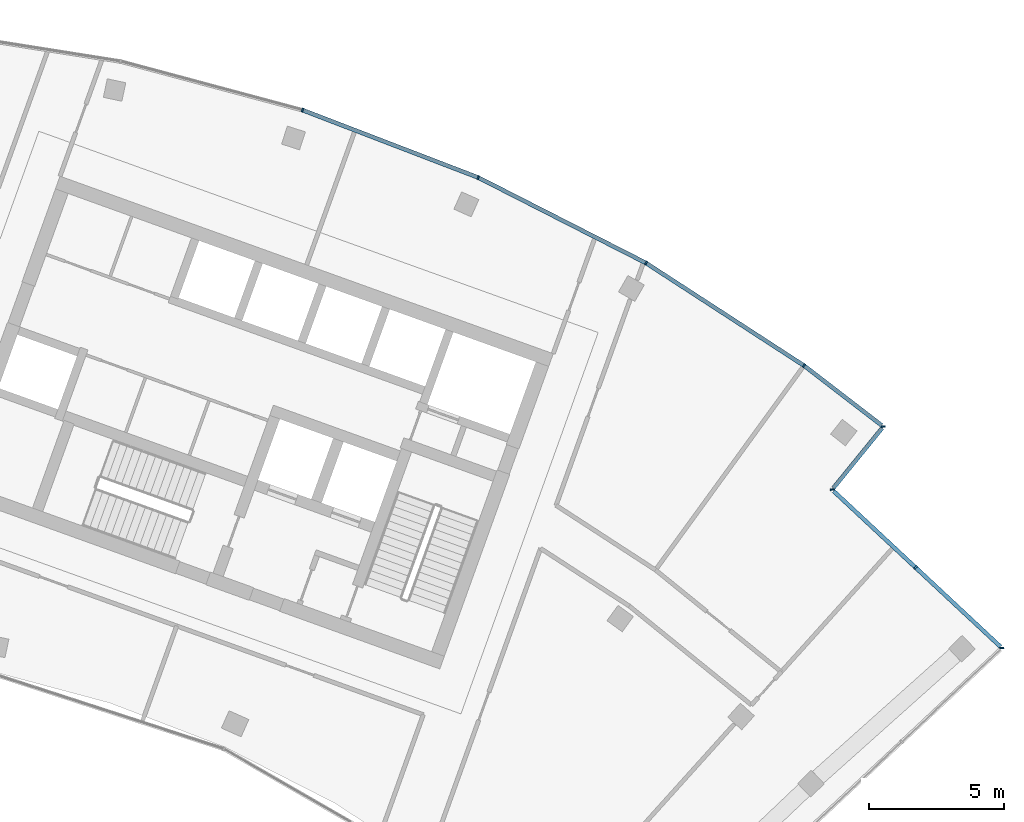
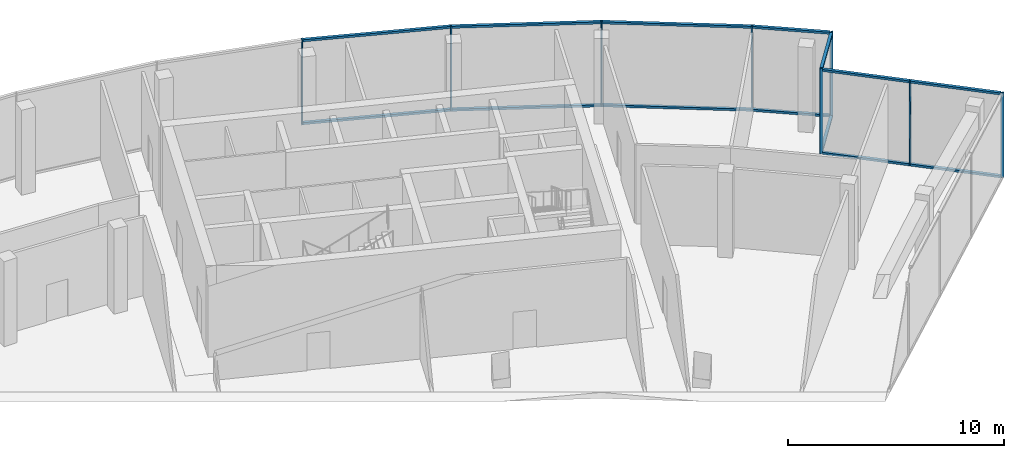
# One storey, part 10 of 17: 22 members, 3 elements without a shape of their own.
"""IFC4 building model written with IfcOpenShell, lengths in metres."""

from ifc_helpers import new_model, si_unit, direction, frame, origin, origin_2d, place, context, subcontext, project, spatial, rectangle, extrude, material, layer, layer_set, material_profile, profile_set, type_object, element, aggregate, save


model = new_model("IFC4")

# Units and contexts
model_context = context("Model", 3, precision=1e-05, world=origin(), true_north=direction((0.0, 1.0)))
body_context = subcontext(model_context, "Body", "Model", "MODEL_VIEW")
ifc_project = project(units=[si_unit("LENGTHUNIT", "METRE"), si_unit("AREAUNIT", "SQUARE_METRE"), si_unit("VOLUMEUNIT", "CUBIC_METRE"), si_unit("PLANEANGLEUNIT", "RADIAN"), si_unit("MASSUNIT", "GRAM", prefix="KILO")], contexts=[model_context])

# Site, building, storey
site_placement = place(None, origin())
site = spatial("IfcSite", under=ifc_project, at=site_placement, CompositionType="ELEMENT")
building_placement = place(site_placement, origin())
building = spatial("IfcBuilding", under=site, at=building_placement, Name="Stone Belt Terrace Tower", CompositionType="ELEMENT")
storey_placement = place(building_placement, frame((0.0, 0.0, 313.39990234375)))
storey = spatial("IfcBuildingStorey", under=building, at=storey_placement, Name="L76", CompositionType="ELEMENT", Elevation=313.39990234375)

# Curtain wall, members
ifc_material = material(Name="Aluminium 6063-T6 anodised frame", Category="aluminium")
ifc_layer = layer(ifc_material, 0.14990234375)
ifc_layer_set = layer_set([ifc_layer], Name="CW-C stick curtain wall, horn ends and notches")
curtain_wall_type = type_object("IfcCurtainWallType", Name="CW-C stick curtain wall, horn ends and notches", PredefinedType="NOTDEFINED", material=ifc_layer_set)
curtain_wall_1_placement = place(storey_placement, origin())
curtain_wall_1 = element("IfcCurtainWall", 1, at=curtain_wall_1_placement, inside=storey, type_object=curtain_wall_type, Name="CW-C notch face L76", PredefinedType="NOTDEFINED")
ifc_material_profile_1 = material_profile(ifc_material, rectangle(XDim=0.14990234375, YDim=0.06005859375, at=origin_2d()), Name="Aluminium 6063-T6 60x150")
ifc_profile_set_1 = profile_set([ifc_material_profile_1], Name="Aluminium 6063-T6 anodised frame")
member_type_1 = type_object("IfcMemberType", Name="CW-C mullion 60 x 150", PredefinedType="MULLION", material=ifc_profile_set_1)
member_1_placement = place(storey_placement, frame((46.458740234375, 43.405517578125, 0.0), z_axis=(0.0, 0.0, 1.0), x_axis=(-0.999999447771, -0.00105093149, 0.0)))
member_1 = element("IfcMember", 2, at=member_1_placement, type_object=member_type_1, Name="CW-C mullion 1", PredefinedType="MULLION", context=body_context, shape_type="SweptSolid", body=[
    extrude(rectangle(XDim=0.14990234375, YDim=0.06005859375, at=origin_2d()), origin(), (0.0, 0.0, 1.0), 4.800048828125),
])
member_2_placement = place(storey_placement, frame((43.260009765625, 46.388671875, 0.0), z_axis=(0.0, 0.0, 1.0), x_axis=(-0.682013767261, -0.731339333871, 0.0)))
member_2 = element("IfcMember", 3, at=member_2_placement, type_object=member_type_1, Name="CW-C mullion 2", PredefinedType="MULLION", context=body_context, shape_type="SweptSolid", body=[
    extrude(rectangle(XDim=0.14990234375, YDim=0.06005859375, at=origin_2d()), origin(), (0.0, 0.0, 1.0), 4.800048828125),
])

# Curtain wall, member
curtain_wall_2_placement = place(storey_placement, origin())
curtain_wall_2 = element("IfcCurtainWall", 4, at=curtain_wall_2_placement, inside=storey, type_object=curtain_wall_type, Name="CW-C notch face L76", PredefinedType="NOTDEFINED")
member_3_placement = place(storey_placement, frame((40.1708984375, 49.269287109375, 0.0), z_axis=(0.0, 0.0, 1.0), x_axis=(-0.997639702696, -0.068666029474, 0.0)))
member_3 = element("IfcMember", 5, at=member_3_placement, type_object=member_type_1, Name="CW-C mullion 1", PredefinedType="MULLION", context=body_context, shape_type="SweptSolid", body=[
    extrude(rectangle(XDim=0.14990234375, YDim=0.06005859375, at=origin_2d()), origin(), (0.0, 0.0, 1.0), 4.800048828125),
])

# Curtain wall, members
curtain_wall_3_placement = place(storey_placement, origin())
curtain_wall_3 = element("IfcCurtainWall", 6, at=curtain_wall_3_placement, inside=storey, type_object=curtain_wall_type, Name="CW-C convex face L76", PredefinedType="NOTDEFINED")
member_4_placement = place(storey_placement, frame((42.068359375, 51.60205078125, 0.0), z_axis=(0.0, 0.0, 1.0), x_axis=(-0.993258004644, -0.115924700604, 0.0)))
member_4 = element("IfcMember", 7, at=member_4_placement, type_object=member_type_1, Name="CW-C mullion 1", PredefinedType="MULLION", context=body_context, shape_type="SweptSolid", body=[
    extrude(rectangle(XDim=0.14990234375, YDim=0.06005859375, at=origin_2d()), origin(), (0.0, 0.0, 1.0), 4.800048828125),
])
member_5_placement = place(storey_placement, frame((39.131103515625, 53.86083984375, 0.0), z_axis=(0.0, 0.0, 1.0), x_axis=(-0.577587125789, -0.816329046477, 0.0)))
member_5 = element("IfcMember", 8, at=member_5_placement, type_object=member_type_1, Name="CW-C mullion 2", PredefinedType="MULLION", context=body_context, shape_type="SweptSolid", body=[
    extrude(rectangle(XDim=0.14990234375, YDim=0.06005859375, at=origin_2d()), origin(), (0.0, 0.0, 1.0), 4.800048828125),
])
member_6_placement = place(storey_placement, frame((33.28759765625, 57.65576171875, 0.0), z_axis=(0.0, 0.0, 1.0), x_axis=(-0.5, -0.866025403784, 0.0)))
member_6 = element("IfcMember", 9, at=member_6_placement, type_object=member_type_1, Name="CW-C mullion 3", PredefinedType="MULLION", context=body_context, shape_type="SweptSolid", body=[
    extrude(rectangle(XDim=0.14990234375, YDim=0.06005859375, at=origin_2d()), origin(), (0.0, 0.0, 1.0), 4.800048828125),
])
member_7_placement = place(storey_placement, frame((27.07861328125, 60.8193359375, 0.0), z_axis=(0.0, 0.0, 1.0), x_axis=(-0.406736643076, -0.913545457643, 0.0)))
member_7 = element("IfcMember", 10, at=member_7_placement, type_object=member_type_1, Name="CW-C mullion 4", PredefinedType="MULLION", context=body_context, shape_type="SweptSolid", body=[
    extrude(rectangle(XDim=0.14990234375, YDim=0.06005859375, at=origin_2d()), origin(), (0.0, 0.0, 1.0), 4.800048828125),
])
member_8_placement = place(storey_placement, frame((20.57275390625, 63.316650390625, 0.0), z_axis=(0.0, 0.0, 1.0), x_axis=(-0.309016994375, -0.951056516295, 0.0)))
member_8 = element("IfcMember", 11, at=member_8_placement, type_object=member_type_1, Name="CW-C mullion 5", PredefinedType="MULLION", context=body_context, shape_type="SweptSolid", body=[
    extrude(rectangle(XDim=0.14990234375, YDim=0.06005859375, at=origin_2d()), origin(), (0.0, 0.0, 1.0), 4.800048828125),
])

# Member
ifc_material_profile_2 = material_profile(ifc_material, rectangle(XDim=0.14990234375, YDim=0.1201171875, at=origin_2d()), Name="Aluminium 6063-T6 150x120")
ifc_profile_set_2 = profile_set([ifc_material_profile_2], Name="Aluminium 6063-T6 anodised frame")
member_type_2 = type_object("IfcMemberType", Name="CW-C transom 120 x 150", PredefinedType="USERDEFINED", material=ifc_profile_set_2)
member_9_placement = place(storey_placement, frame((46.40380859375, 43.456787109375, 0.06005859375), z_axis=(-0.731353784958, 0.681998270693, 0.0), x_axis=(-0.681998270693, -0.731353784958, 0.0)))
member_9 = element("IfcMember", 12, at=member_9_placement, type_object=member_type_2, Name="CW-C transom 1.1", ObjectType="TRANSOM", PredefinedType="USERDEFINED", context=body_context, shape_type="SweptSolid", body=[
    extrude(rectangle(XDim=0.14990234375, YDim=0.1201171875, at=origin_2d()), origin(), (0.0, 0.0, 1.0), 4.268798828125),
])

member_10_placement = place(storey_placement, frame((46.40380859375, 43.456787109375, 4.739990234375), z_axis=(-0.731353784958, 0.681998270693, 0.0), x_axis=(-0.681998270693, -0.731353784958, 0.0)))
member_10 = element("IfcMember", 13, at=member_10_placement, type_object=member_type_2, Name="CW-C transom 1.2", ObjectType="TRANSOM", PredefinedType="USERDEFINED", context=body_context, shape_type="SweptSolid", body=[
    extrude(rectangle(XDim=0.14990234375, YDim=0.1201171875, at=origin_2d()), origin(), (0.0, 0.0, 1.0), 4.268798828125),
])

member_11_placement = place(storey_placement, frame((43.238037109375, 46.4091796875, 0.06005859375), z_axis=(-0.731382255625, 0.681967738355, 0.0), x_axis=(-0.681967738355, -0.731382255625, 0.0)))
member_11 = element("IfcMember", 14, at=member_11_placement, type_object=member_type_2, Name="CW-C transom 2.1", ObjectType="TRANSOM", PredefinedType="USERDEFINED", context=body_context, shape_type="SweptSolid", body=[
    extrude(rectangle(XDim=0.14990234375, YDim=0.1201171875, at=origin_2d()), origin(), (0.0, 0.0, 1.0), 4.12060546875),
])

member_12_placement = place(storey_placement, frame((43.238037109375, 46.4091796875, 4.739990234375), z_axis=(-0.731382255625, 0.681967738355, 0.0), x_axis=(-0.681967738355, -0.731382255625, 0.0)))
member_12 = element("IfcMember", 15, at=member_12_placement, type_object=member_type_2, Name="CW-C transom 2.2", ObjectType="TRANSOM", PredefinedType="USERDEFINED", context=body_context, shape_type="SweptSolid", body=[
    extrude(rectangle(XDim=0.14990234375, YDim=0.1201171875, at=origin_2d()), origin(), (0.0, 0.0, 1.0), 4.12060546875),
])

aggregate(curtain_wall_1, [member_1, member_2, member_9, member_10, member_11, member_12])

member_13_placement = place(storey_placement, frame((40.217041015625, 49.325927734375, 0.06005859375), z_axis=(0.631026504781, 0.775761271439, 0.0), x_axis=(-0.775761271439, 0.631026504781, 0.0)))
member_13 = element("IfcMember", 16, at=member_13_placement, type_object=member_type_2, Name="CW-C transom 1.1", ObjectType="TRANSOM", PredefinedType="USERDEFINED", context=body_context, shape_type="SweptSolid", body=[
    extrude(rectangle(XDim=0.14990234375, YDim=0.1201171875, at=origin_2d()), origin(), (0.0, 0.0, 1.0), 2.859130859375),
])

member_14_placement = place(storey_placement, frame((40.217041015625, 49.325927734375, 4.739990234375), z_axis=(0.631026504781, 0.775761271439, 0.0), x_axis=(-0.775761271439, 0.631026504781, 0.0)))
member_14 = element("IfcMember", 17, at=member_14_placement, type_object=member_type_2, Name="CW-C transom 1.2", ObjectType="TRANSOM", PredefinedType="USERDEFINED", context=body_context, shape_type="SweptSolid", body=[
    extrude(rectangle(XDim=0.14990234375, YDim=0.1201171875, at=origin_2d()), origin(), (0.0, 0.0, 1.0), 2.859130859375),
])

aggregate(curtain_wall_2, [member_3, member_13, member_14])

member_15_placement = place(storey_placement, frame((42.00927734375, 51.6474609375, 0.06005859375), z_axis=(-0.79269461464, 0.609618936648, 0.0), x_axis=(-0.609618936648, -0.79269461464, 0.0)))
member_15 = element("IfcMember", 18, at=member_15_placement, type_object=member_type_2, Name="CW-C transom 1.1", ObjectType="TRANSOM", PredefinedType="USERDEFINED", context=body_context, shape_type="SweptSolid", body=[
    extrude(rectangle(XDim=0.14990234375, YDim=0.1201171875, at=origin_2d()), origin(), (0.0, 0.0, 1.0), 3.597900390625),
])

member_16_placement = place(storey_placement, frame((42.00927734375, 51.6474609375, 4.739990234375), z_axis=(-0.79269461464, 0.609618936648, 0.0), x_axis=(-0.609618936648, -0.79269461464, 0.0)))
member_16 = element("IfcMember", 19, at=member_16_placement, type_object=member_type_2, Name="CW-C transom 1.2", ObjectType="TRANSOM", PredefinedType="USERDEFINED", context=body_context, shape_type="SweptSolid", body=[
    extrude(rectangle(XDim=0.14990234375, YDim=0.1201171875, at=origin_2d()), origin(), (0.0, 0.0, 1.0), 3.597900390625),
])

member_17_placement = place(storey_placement, frame((39.103515625, 53.87890625, 0.06005859375), z_axis=(-0.83868440714, 0.544617723931, 0.0), x_axis=(-0.544617723931, -0.83868440714, 0.0)))
member_17 = element("IfcMember", 20, at=member_17_placement, type_object=member_type_2, Name="CW-C transom 2.1", ObjectType="TRANSOM", PredefinedType="USERDEFINED", context=body_context, shape_type="SweptSolid", body=[
    extrude(rectangle(XDim=0.14990234375, YDim=0.1201171875, at=origin_2d()), origin(), (0.0, 0.0, 1.0), 6.90087890625),
])

member_18_placement = place(storey_placement, frame((39.103515625, 53.87890625, 4.739990234375), z_axis=(-0.83868440714, 0.544617723931, 0.0), x_axis=(-0.544617723931, -0.83868440714, 0.0)))
member_18 = element("IfcMember", 21, at=member_18_placement, type_object=member_type_2, Name="CW-C transom 2.2", ObjectType="TRANSOM", PredefinedType="USERDEFINED", context=body_context, shape_type="SweptSolid", body=[
    extrude(rectangle(XDim=0.14990234375, YDim=0.1201171875, at=origin_2d()), origin(), (0.0, 0.0, 1.0), 6.90087890625),
])

member_19_placement = place(storey_placement, frame((33.25732421875, 57.671142578125, 0.06005859375), z_axis=(-0.891012226264, 0.453979308613, 0.0), x_axis=(-0.453979308613, -0.891012226264, 0.0)))
member_19 = element("IfcMember", 22, at=member_19_placement, type_object=member_type_2, Name="CW-C transom 3.1", ObjectType="TRANSOM", PredefinedType="USERDEFINED", context=body_context, shape_type="SweptSolid", body=[
    extrude(rectangle(XDim=0.14990234375, YDim=0.1201171875, at=origin_2d()), origin(), (0.0, 0.0, 1.0), 6.90087890625),
])

member_20_placement = place(storey_placement, frame((33.25732421875, 57.671142578125, 4.739990234375), z_axis=(-0.891012226264, 0.453979308613, 0.0), x_axis=(-0.453979308613, -0.891012226264, 0.0)))
member_20 = element("IfcMember", 23, at=member_20_placement, type_object=member_type_2, Name="CW-C transom 3.2", ObjectType="TRANSOM", PredefinedType="USERDEFINED", context=body_context, shape_type="SweptSolid", body=[
    extrude(rectangle(XDim=0.14990234375, YDim=0.1201171875, at=origin_2d()), origin(), (0.0, 0.0, 1.0), 6.90087890625),
])

member_21_placement = place(storey_placement, frame((27.046875, 60.83154296875, 0.06005859375), z_axis=(-0.933585210269, 0.358355487146, 0.0), x_axis=(-0.358355487146, -0.933585210269, 0.0)))
member_21 = element("IfcMember", 24, at=member_21_placement, type_object=member_type_2, Name="CW-C transom 4.1", ObjectType="TRANSOM", PredefinedType="USERDEFINED", context=body_context, shape_type="SweptSolid", body=[
    extrude(rectangle(XDim=0.14990234375, YDim=0.1201171875, at=origin_2d()), origin(), (0.0, 0.0, 1.0), 6.900634765625),
])

member_22_placement = place(storey_placement, frame((27.046875, 60.83154296875, 4.739990234375), z_axis=(-0.933585210269, 0.358355487146, 0.0), x_axis=(-0.358355487146, -0.933585210269, 0.0)))
member_22 = element("IfcMember", 25, at=member_22_placement, type_object=member_type_2, Name="CW-C transom 4.2", ObjectType="TRANSOM", PredefinedType="USERDEFINED", context=body_context, shape_type="SweptSolid", body=[
    extrude(rectangle(XDim=0.14990234375, YDim=0.1201171875, at=origin_2d()), origin(), (0.0, 0.0, 1.0), 6.900634765625),
])

aggregate(curtain_wall_3, [member_4, member_5, member_6, member_7, member_8, member_15, member_16, member_17, member_18, member_19, member_20, member_21, member_22])

save(model, "model.ifc")
